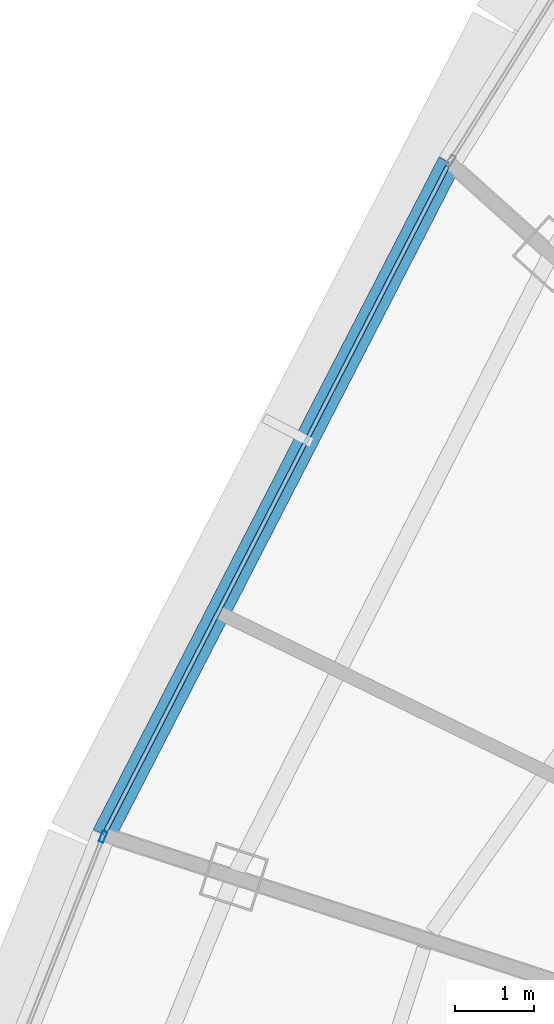
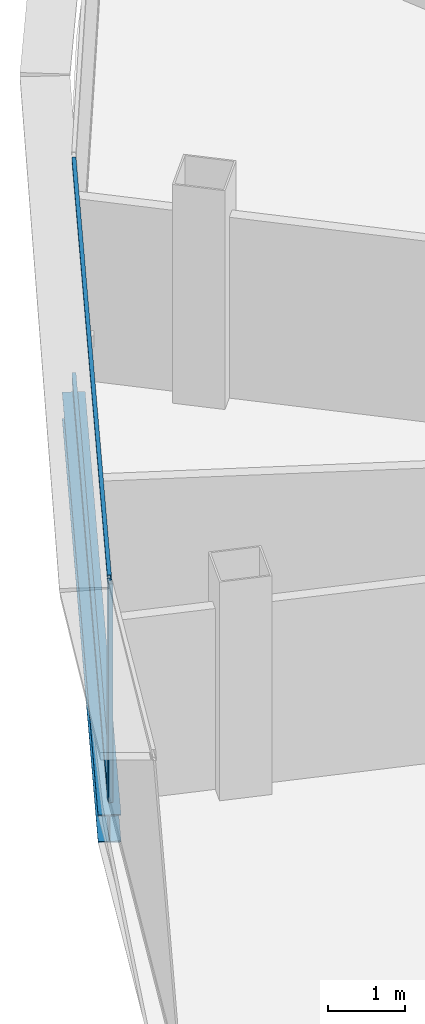
# One storey, part 6 of 29: 3 members, 1 beam, 2 elements without a shape of their own.
"""IFC4 building model written with IfcOpenShell, lengths in metres."""

from ifc_helpers import new_model, si_unit, direction, frame, origin, origin_2d, place, context, subcontext, project, spatial, hollow_rectangle, i_section, extrude, source, transform, mapped, material, layer, layer_set, material_profile, profile_set, type_object, element, aggregate, save


model = new_model("IFC4")

# Units and contexts
model_context = context("Model", 3, precision=1e-05, world=origin(), true_north=direction((0.0, 1.0)))
body_context = subcontext(model_context, "Body", "Model", "MODEL_VIEW")
ifc_project = project(units=[si_unit("LENGTHUNIT", "METRE"), si_unit("AREAUNIT", "SQUARE_METRE"), si_unit("VOLUMEUNIT", "CUBIC_METRE"), si_unit("PLANEANGLEUNIT", "RADIAN"), si_unit("MASSUNIT", "GRAM", prefix="KILO"), si_unit("THERMODYNAMICTEMPERATUREUNIT", "KELVIN"), si_unit("POWERUNIT", "WATT")], contexts=[model_context])

# Site, building, storey
site_placement = place(None, origin())
site = spatial("IfcSite", under=ifc_project, at=site_placement, CompositionType="ELEMENT")
building_placement = place(site_placement, origin())
building = spatial("IfcBuilding", under=site, at=building_placement, Name="Yunzhuo Pagoda Commons", CompositionType="ELEMENT")
storey_placement = place(building_placement, frame((0.0, 0.0, 363.010009765625)))
storey = spatial("IfcBuildingStorey", under=building, at=storey_placement, Name="L91", CompositionType="ELEMENT", Elevation=363.010009765625)

# Beam
ifc_material_1 = material(Name="Structural steel Q355B", Category="steel")
ifc_material_profile_1 = material_profile(ifc_material_1, i_section(OverallWidth=0.300048828125, OverallDepth=0.43994140625, WebThickness=0.010986328125, FlangeThickness=0.01806640625, at=origin_2d()), Name="Structural steel Q355B")
ifc_profile_set_1 = profile_set([ifc_material_profile_1], Name="Structural steel Q355B")
beam_type = type_object("IfcBeamType", Name="B-SP2 Beam HM 440x300x11x18", PredefinedType="BEAM", material=ifc_profile_set_1)
shared_shape_1 = source(origin(), body_context, "Body", "SweptSolid", [
    extrude(i_section(OverallWidth=0.300048828125, OverallDepth=0.43994140625, WebThickness=0.010986328125, FlangeThickness=0.01806640625, at=origin_2d()), origin(), (0.0, 0.0, 1.0), 9.600341796875),
])
beam_placement = place(storey_placement, frame((30.685302734375, 49.2900390625, -0.47998046875), z_axis=(-0.457265841748, -0.889330056824, 0.0), x_axis=(0.889330056824, -0.457265841748, 0.0)))
element("IfcBeam", 1, at=beam_placement, inside=storey, type_object=beam_type, Name="L91 facade edge spandrel beam F3.2", PredefinedType="BEAM", context=body_context, shape_type="MappedRepresentation", body=[
    mapped(shared_shape_1, transform((0.0, 0.0, 0.0), scale=1.0)),
])

# Curtain wall, member
ifc_material_2 = material(Name="Anodized aluminium 6063-T6", Category="aluminium")
ifc_layer = layer(ifc_material_2, 0.139892578125)
ifc_layer_set = layer_set([ifc_layer], Name="Anodized aluminium 6063-T6")
curtain_wall_type = type_object("IfcCurtainWallType", Name="CW-HI High-Zone Ribbon Curtain Wall", PredefinedType="NOTDEFINED", material=ifc_layer_set)
curtain_wall_1_placement = place(storey_placement, origin())
curtain_wall_1 = element("IfcCurtainWall", 2, at=curtain_wall_1_placement, inside=storey, type_object=curtain_wall_type, Name="L91 curtain wall CW-L91-F3B4", PredefinedType="NOTDEFINED")
ifc_material_profile_2 = material_profile(ifc_material_2, hollow_rectangle(XDim=0.06005859375, YDim=0.139892578125, WallThickness=0.00341796875, at=origin_2d()), Name="Anodized aluminium 6063-T6")
ifc_profile_set_2 = profile_set([ifc_material_profile_2], Name="Anodized aluminium 6063-T6")
member_type_1 = type_object("IfcMemberType", Name="CW-HI-M Mullion RHS 140x60x3.5", PredefinedType="MULLION", material=ifc_profile_set_2)
shared_shape_2 = source(origin(), body_context, "Body", "SweptSolid", [
    extrude(hollow_rectangle(XDim=0.06005859375, YDim=0.139892578125, WallThickness=0.00341796875, at=origin_2d()), origin(), (0.0, 0.0, 1.0), 3.47021484375),
])
member_1_placement = place(storey_placement, frame((26.284423828125, 40.724365234375, 0.0), z_axis=(0.0, 0.0, 1.0), x_axis=(0.929441197274, -0.368970270902, 0.0)))
member_1 = element("IfcMember", 3, at=member_1_placement, type_object=member_type_1, Name="CW mullion 1", PredefinedType="MULLION", context=body_context, shape_type="MappedRepresentation", body=[
    mapped(shared_shape_2, transform((0.0, 0.0, 0.0), scale=1.0)),
])
aggregate(curtain_wall_1, [member_1])

# Curtain wall, members
curtain_wall_2_placement = place(storey_placement, origin())
curtain_wall_2 = element("IfcCurtainWall", 4, at=curtain_wall_2_placement, inside=storey, type_object=curtain_wall_type, Name="L91 curtain wall CW-L91-F3B3", PredefinedType="NOTDEFINED")
ifc_material_profile_3 = material_profile(ifc_material_2, hollow_rectangle(XDim=0.054931640625, YDim=0.1201171875, WallThickness=0.00341796875, at=origin_2d()), Name="Anodized aluminium 6063-T6")
ifc_profile_set_3 = profile_set([ifc_material_profile_3], Name="Anodized aluminium 6063-T6")
member_type_2 = type_object("IfcMemberType", Name="CW-HI-T Transom RHS 120x55x3.5", PredefinedType="USERDEFINED", material=ifc_profile_set_3)
shared_shape_3 = source(origin(), body_context, "Body", "SweptSolid", [
    extrude(hollow_rectangle(XDim=0.054931640625, YDim=0.1201171875, WallThickness=0.00341796875, at=origin_2d()), origin(), (0.0, 0.0, 1.0), 9.48046875),
])
member_2_placement = place(storey_placement, frame((30.657958984375, 49.23681640625, 0.027587890625), z_axis=(-0.457279931988, -0.88932281192, 0.0), x_axis=(0.88932281192, -0.457279931988, 0.0)))
member_2 = element("IfcMember", 5, at=member_2_placement, type_object=member_type_2, Name="CW transom 1.1", ObjectType="TRANSOM", PredefinedType="USERDEFINED", context=body_context, shape_type="MappedRepresentation", body=[
    mapped(shared_shape_3, transform((0.0, 0.0, 0.0), scale=1.0)),
])
member_3_placement = place(storey_placement, frame((30.657958984375, 49.23681640625, 3.4423828125), z_axis=(-0.457279931988, -0.88932281192, 0.0), x_axis=(0.88932281192, -0.457279931988, 0.0)))
member_3 = element("IfcMember", 6, at=member_3_placement, type_object=member_type_2, Name="CW transom 1.2", ObjectType="TRANSOM", PredefinedType="USERDEFINED", context=body_context, shape_type="MappedRepresentation", body=[
    mapped(shared_shape_3, transform((0.0, 0.0, 0.0), scale=1.0)),
])
aggregate(curtain_wall_2, [member_2, member_3])

save(model, "model.ifc")
